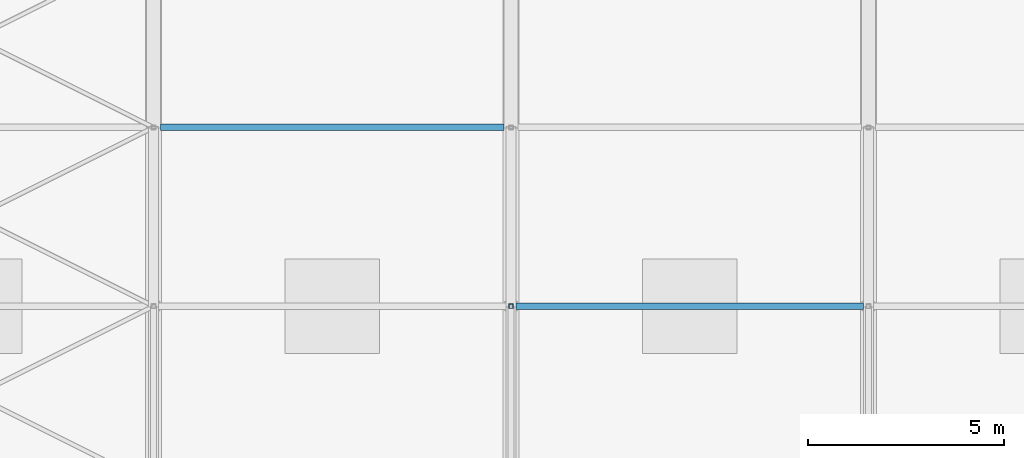
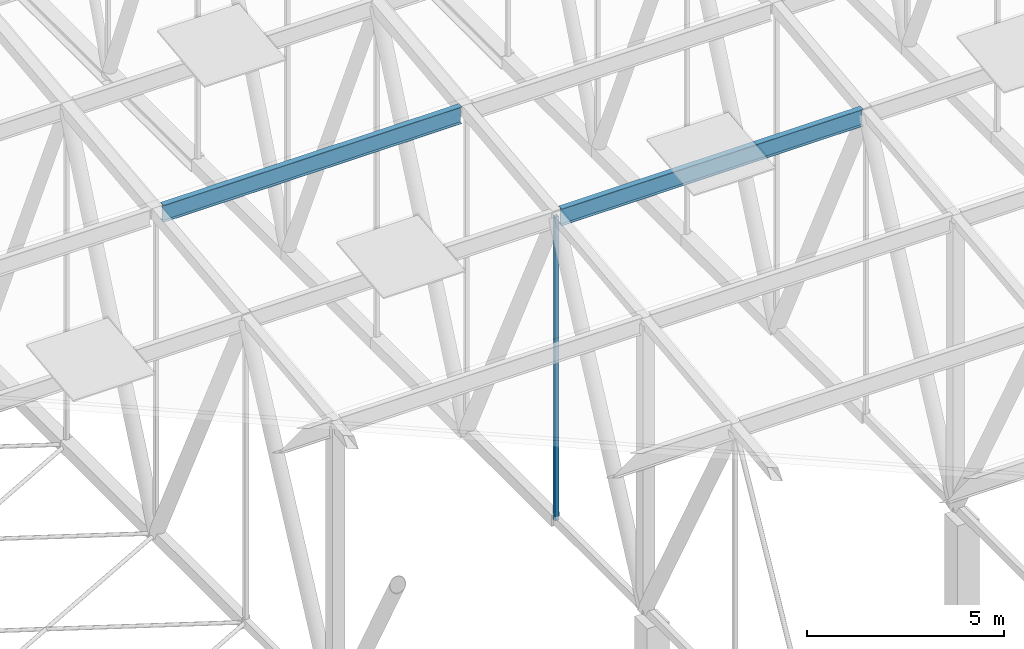
# One storey, part 103 of 500: 3 members.
"""IFC4 building model written with IfcOpenShell, lengths in metres."""

from ifc_helpers import new_model, si_unit, direction, frame, origin, origin_2d, place, context, subcontext, project, spatial, hollow_rectangle, i_section, extrude, material, material_profile, profile_set, type_object, element, save


model = new_model("IFC4")

# Units and contexts
model_context = context("Model", 3, precision=1e-05, world=origin(), true_north=direction((0.0, 1.0)))
body_context = subcontext(model_context, "Body", "Model", "MODEL_VIEW")
ifc_project = project(units=[si_unit("LENGTHUNIT", "METRE"), si_unit("AREAUNIT", "SQUARE_METRE"), si_unit("VOLUMEUNIT", "CUBIC_METRE"), si_unit("PLANEANGLEUNIT", "RADIAN"), si_unit("MASSUNIT", "GRAM", prefix="KILO")], contexts=[model_context])

# Site, building, storey
site_placement = place(None, origin())
site = spatial("IfcSite", under=ifc_project, at=site_placement, CompositionType="ELEMENT")
building_placement = place(site_placement, origin())
building = spatial("IfcBuilding", under=site, at=building_placement, Name="Shirokan Park Arena", CompositionType="ELEMENT")
storey_placement = place(building_placement, frame((0.0, 0.0, 29.1201171875)))
storey = spatial("IfcBuildingStorey", under=building, at=storey_placement, Name="L06", CompositionType="ELEMENT", Elevation=29.1201171875)

# Members
ifc_material_1 = material(Name="Steel ASTM A992", Category="steel")
ifc_material_profile_1 = material_profile(ifc_material_1, i_section(OverallWidth=0.166015625, OverallDepth=0.528076171875, WebThickness=0.009765625, FlangeThickness=0.013671875, at=origin_2d()), Name="W530X74")
ifc_profile_set_1 = profile_set([ifc_material_profile_1], Name="Steel ASTM A992")
member_type_1 = type_object("IfcMemberType", Name="Purlin W530X74", PredefinedType="PURLIN", material=ifc_profile_set_1)
member_1_placement = place(storey_placement, frame((63.826904296875, 13.64990234375, 14.0458984375), z_axis=(1.0, 0.0, 0.0), x_axis=(0.0, 1.0, 0.0)))
element("IfcMember", 1, at=member_1_placement, inside=storey, type_object=member_type_1, Name="Purlin 6 bay 8", PredefinedType="PURLIN", context=body_context, shape_type="SweptSolid", body=[
    extrude(i_section(OverallWidth=0.166015625, OverallDepth=0.528076171875, WebThickness=0.009765625, FlangeThickness=0.013671875, at=origin_2d()), origin(), (0.0, 0.0, 1.0), 8.84619140625),
])
member_2_placement = place(storey_placement, frame((54.778076171875, 18.199951171875, 14.56591796875), z_axis=(1.0, 0.0, 0.0), x_axis=(0.0, 1.0, 0.0)))
element("IfcMember", 2, at=member_2_placement, inside=storey, type_object=member_type_1, Name="Purlin 7 bay 7", PredefinedType="PURLIN", context=body_context, shape_type="SweptSolid", body=[
    extrude(i_section(OverallWidth=0.166015625, OverallDepth=0.528076171875, WebThickness=0.009765625, FlangeThickness=0.013671875, at=origin_2d()), origin(), (0.0, 0.0, 1.0), 8.743896484375),
])
ifc_material_2 = material(Name="Steel ASTM A500 Grade C", Category="steel")
ifc_material_profile_2 = material_profile(ifc_material_2, hollow_rectangle(XDim=0.114013671875, YDim=0.114013671875, WallThickness=0.00634765625, at=origin_2d()), Name="HSS114.3X114.3X6.4")
ifc_profile_set_2 = profile_set([ifc_material_profile_2], Name="Steel ASTM A500 Grade C")
member_type_2 = type_object("IfcMemberType", Name="Truss post HSS114.3X114.3X6.4", PredefinedType="POST", material=ifc_profile_set_2)
member_3_placement = place(storey_placement, frame((63.699951171875, 13.64990234375, 4.677001953125), z_axis=(0.0, 0.0, 1.0), x_axis=(1.0, 0.0, 0.0)))
element("IfcMember", 3, at=member_3_placement, inside=storey, type_object=member_type_2, Name="Truss T08 post 6", PredefinedType="POST", context=body_context, shape_type="SweptSolid", body=[
    extrude(hollow_rectangle(XDim=0.114013671875, YDim=0.114013671875, WallThickness=0.00634765625, at=origin_2d()), origin(), (0.0, 0.0, 1.0), 9.42431640625),
])

save(model, "model.ifc")
